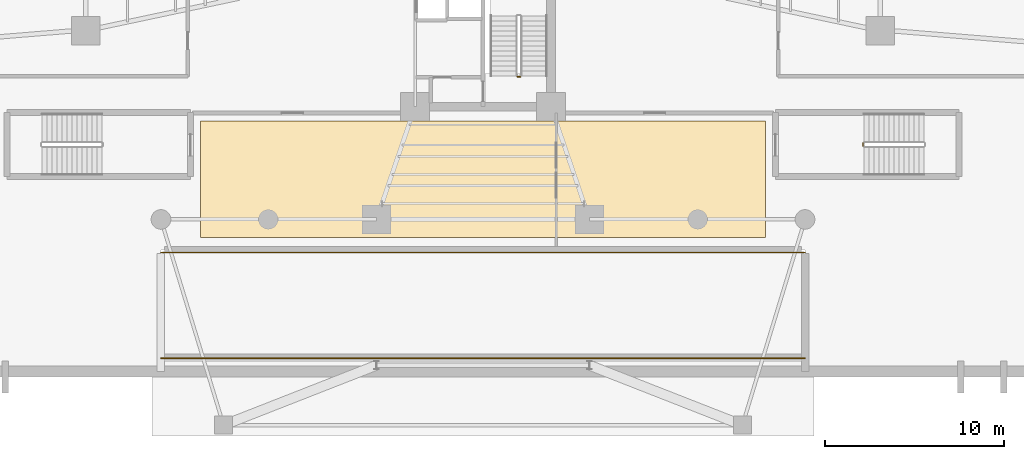
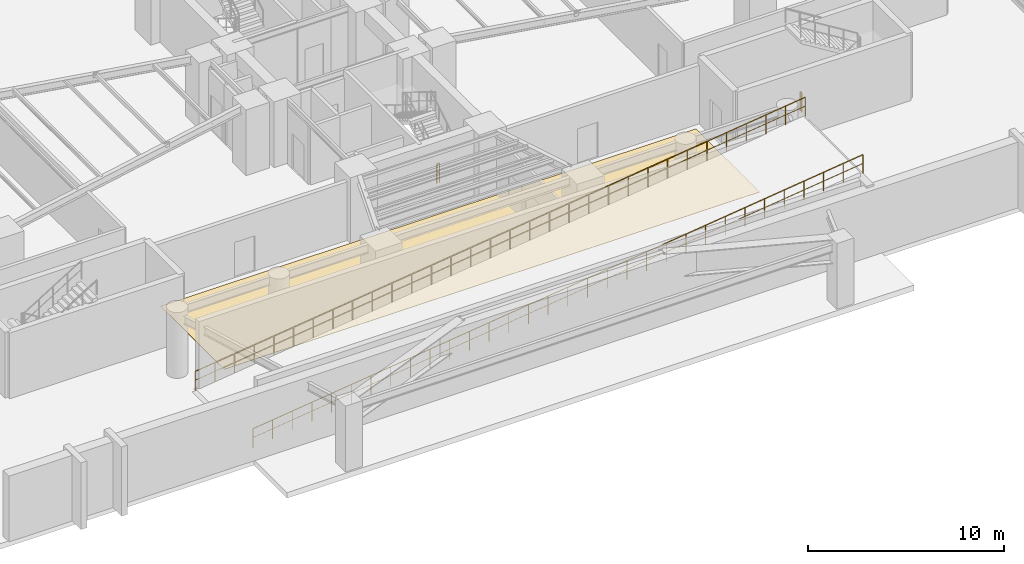
# One storey, part 12 of 14: 4 railings, 1 covering.
"""IFC4 building model written with IfcOpenShell, lengths in metres."""

from ifc_helpers import new_model, si_unit, direction, frame, origin, origin_2d, place, context, subcontext, project, spatial, polyline, circle, outline, extrude, material, layer, layer_set, type_object, element, save


model = new_model("IFC4")

# Units and contexts
model_context = context("Model", 3, precision=1e-05, world=origin(), true_north=direction((0.0, 1.0)))
body_context = subcontext(model_context, "Body", "Model", "MODEL_VIEW")
ifc_project = project(units=[si_unit("LENGTHUNIT", "METRE"), si_unit("AREAUNIT", "SQUARE_METRE"), si_unit("VOLUMEUNIT", "CUBIC_METRE"), si_unit("PLANEANGLEUNIT", "RADIAN"), si_unit("MASSUNIT", "GRAM", prefix="KILO")], contexts=[model_context])

# Site, building, storey
site_placement = place(None, origin())
site = spatial("IfcSite", under=ifc_project, at=site_placement, CompositionType="ELEMENT")
building_placement = place(site_placement, origin())
building = spatial("IfcBuilding", under=site, at=building_placement, Name="Sahyath Konkavel Grand Hotel", CompositionType="ELEMENT")
storey_placement = place(building_placement, frame((0.0, 0.0, -4.5)))
storey = spatial("IfcBuildingStorey", under=building, at=storey_placement, Name="B1", CompositionType="ELEMENT", Elevation=-4.5)

# Covering
ifc_material_1 = material(Name="Polished Konkan Aggregate Terrazzo Flooring")
ifc_layer = layer(ifc_material_1, 0.02001953125)
ifc_layer_set = layer_set([ifc_layer], Name="Polished Konkan Aggregate Terrazzo Flooring")
covering_type = type_object("IfcCoveringType", Name="COV-TERRAZZO", PredefinedType="FLOORING", material=ifc_layer_set)
covering_placement = place(storey_placement, origin())
element("IfcCovering", 1, at=covering_placement, inside=storey, type_object=covering_type, Name="B1 Metro Concourse Terrazzo Flooring", PredefinedType="FLOORING", context=body_context, shape_type="SweptSolid", body=[
    extrude(outline(polyline([(-15.800048828125, -17.5), (15.800048828125, -17.5), (15.800048828125, -11.0), (-15.800048828125, -11.0), (-15.800048828125, -17.5)])), origin(), (0.0, 0.0, 1.0), 0.02001953125),
])

# Railings
ifc_material_2 = material(Name="Steel E350", Category="steel")
railing_type = type_object("IfcRailingType", Name="RLG-STAIR-GRD", PredefinedType="GUARDRAIL", material=ifc_material_2)
railing_1_placement = place(storey_placement, frame((2.080078125, -8.530029296875, 0.0)))
element("IfcRailing", 2, at=railing_1_placement, inside=storey, type_object=railing_type, Name="B1 ST-2 stair guard 4", PredefinedType="GUARDRAIL", context=body_context, shape_type="SweptSolid", body=[
    extrude(circle(Radius=0.02392578125, at=origin_2d()), frame((-0.001953125, 0.0, 1.17578125), z_axis=(-1.0, 0.0, 0.0), x_axis=(0.0, -1.0, 0.0)), (0.0, 0.0, 1.0), 0.15625),
    extrude(circle(Radius=0.01416015625, at=origin_2d()), frame((-0.001953125, 0.0, 0.6240234375), z_axis=(-1.0, 0.0, 0.0), x_axis=(0.0, -1.0, 0.0)), (0.0, 0.0, 1.0), 0.15625),
    extrude(circle(Radius=0.02099609375, at=origin_2d()), origin(), (0.0, 0.0, 1.0), 1.15185546875),
    extrude(circle(Radius=0.02099609375, at=origin_2d()), frame((-0.16015625, 0.0, 0.0)), (0.0, 0.0, 1.0), 1.15185546875),
])
railing_2_placement = place(storey_placement, frame((21.239990234375, -12.389892578125, 0.0)))
element("IfcRailing", 3, at=railing_2_placement, inside=storey, type_object=railing_type, Name="B1 ST-P4 stair guard 4", PredefinedType="GUARDRAIL", context=body_context, shape_type="SweptSolid", body=[
    extrude(circle(Radius=0.02392578125, at=origin_2d()), frame((0.0, 0.001953125, 1.17578125), z_axis=(0.0, 1.0, 0.0), x_axis=(-1.0, 0.0, 0.0)), (0.0, 0.0, 1.0), 0.156005859375),
    extrude(circle(Radius=0.01416015625, at=origin_2d()), frame((0.0, 0.001953125, 0.6240234375), z_axis=(0.0, 1.0, 0.0), x_axis=(-1.0, 0.0, 0.0)), (0.0, 0.0, 1.0), 0.156005859375),
    extrude(circle(Radius=0.02099609375, at=origin_2d()), origin(), (0.0, 0.0, 1.0), 1.15185546875),
    extrude(circle(Radius=0.02099609375, at=origin_2d()), frame((0.0, 0.159912109375, 0.0)), (0.0, 0.0, 1.0), 1.15185546875),
])
railing_3_placement = place(storey_placement, frame((-18.0, -18.35009765625, 0.0)))
element("IfcRailing", 4, at=railing_3_placement, inside=storey, type_object=railing_type, Name="B1 Vehicle Ramp Guard N", PredefinedType="GUARDRAIL", context=body_context, shape_type="SweptSolid", body=[
    extrude(circle(Radius=0.02392578125, at=origin_2d()), frame((0.001953125, 0.0, 1.17626953125), z_axis=(0.992277876714, 0.0, 0.124034734589), x_axis=(0.0, 1.0, 0.0)), (0.0, 0.0, 1.0), 36.276123046875),
    extrude(circle(Radius=0.01416015625, at=origin_2d()), frame((0.001953125, 0.0, 0.624267578125), z_axis=(0.992277876714, 0.0, 0.124034734589), x_axis=(0.0, 1.0, 0.0)), (0.0, 0.0, 1.0), 36.276123046875),
    extrude(circle(Radius=0.02099609375, at=origin_2d()), origin(), (0.0, 0.0, 1.0), 1.15185546875),
    extrude(circle(Radius=0.02099609375, at=origin_2d()), frame((1.161376953125, 0.0, 0.145263671875)), (0.0, 0.0, 1.0), 1.15185546875),
    extrude(circle(Radius=0.02099609375, at=origin_2d()), frame((2.322509765625, 0.0, 0.290283203125)), (0.0, 0.0, 1.0), 1.15185546875),
    extrude(circle(Radius=0.02099609375, at=origin_2d()), frame((3.48388671875, 0.0, 0.435546875)), (0.0, 0.0, 1.0), 1.15185546875),
    extrude(circle(Radius=0.02099609375, at=origin_2d()), frame((4.645263671875, 0.0, 0.58056640625)), (0.0, 0.0, 1.0), 1.15185546875),
    extrude(circle(Radius=0.02099609375, at=origin_2d()), frame((5.806396484375, 0.0, 0.725830078125)), (0.0, 0.0, 1.0), 1.15185546875),
    extrude(circle(Radius=0.02099609375, at=origin_2d()), frame((6.9677734375, 0.0, 0.870849609375)), (0.0, 0.0, 1.0), 1.15185546875),
    extrude(circle(Radius=0.02099609375, at=origin_2d()), frame((8.129150390625, 0.0, 1.01611328125)), (0.0, 0.0, 1.0), 1.15185546875),
    extrude(circle(Radius=0.02099609375, at=origin_2d()), frame((9.290283203125, 0.0, 1.161376953125)), (0.0, 0.0, 1.0), 1.15185546875),
    extrude(circle(Radius=0.02099609375, at=origin_2d()), frame((10.45166015625, 0.0, 1.306396484375)), (0.0, 0.0, 1.0), 1.15185546875),
    extrude(circle(Radius=0.02099609375, at=origin_2d()), frame((11.61279296875, 0.0, 1.45166015625)), (0.0, 0.0, 1.0), 1.15185546875),
    extrude(circle(Radius=0.02099609375, at=origin_2d()), frame((12.774169921875, 0.0, 1.5966796875)), (0.0, 0.0, 1.0), 1.15185546875),
    extrude(circle(Radius=0.02099609375, at=origin_2d()), frame((13.935546875, 0.0, 1.741943359375)), (0.0, 0.0, 1.0), 1.15185546875),
    extrude(circle(Radius=0.02099609375, at=origin_2d()), frame((15.0966796875, 0.0, 1.88720703125)), (0.0, 0.0, 1.0), 1.15185546875),
    extrude(circle(Radius=0.02099609375, at=origin_2d()), frame((16.258056640625, 0.0, 2.0322265625)), (0.0, 0.0, 1.0), 1.15185546875),
    extrude(circle(Radius=0.02099609375, at=origin_2d()), frame((17.41943359375, 0.0, 2.177490234375)), (0.0, 0.0, 1.0), 1.15185546875),
    extrude(circle(Radius=0.02099609375, at=origin_2d()), frame((18.58056640625, 0.0, 2.322509765625)), (0.0, 0.0, 1.0), 1.15185546875),
    extrude(circle(Radius=0.02099609375, at=origin_2d()), frame((19.741943359375, 0.0, 2.4677734375)), (0.0, 0.0, 1.0), 1.15185546875),
    extrude(circle(Radius=0.02099609375, at=origin_2d()), frame((20.9033203125, 0.0, 2.61279296875)), (0.0, 0.0, 1.0), 1.15185546875),
    extrude(circle(Radius=0.02099609375, at=origin_2d()), frame((22.064453125, 0.0, 2.758056640625)), (0.0, 0.0, 1.0), 1.15185546875),
    extrude(circle(Radius=0.02099609375, at=origin_2d()), frame((23.225830078125, 0.0, 2.9033203125)), (0.0, 0.0, 1.0), 1.15185546875),
    extrude(circle(Radius=0.02099609375, at=origin_2d()), frame((24.38720703125, 0.0, 3.04833984375)), (0.0, 0.0, 1.0), 1.15185546875),
    extrude(circle(Radius=0.02099609375, at=origin_2d()), frame((25.54833984375, 0.0, 3.193603515625)), (0.0, 0.0, 1.0), 1.15185546875),
    extrude(circle(Radius=0.02099609375, at=origin_2d()), frame((26.709716796875, 0.0, 3.338623046875)), (0.0, 0.0, 1.0), 1.15185546875),
    extrude(circle(Radius=0.02099609375, at=origin_2d()), frame((27.870849609375, 0.0, 3.48388671875)), (0.0, 0.0, 1.0), 1.15185546875),
    extrude(circle(Radius=0.02099609375, at=origin_2d()), frame((29.0322265625, 0.0, 3.629150390625)), (0.0, 0.0, 1.0), 1.15185546875),
    extrude(circle(Radius=0.02099609375, at=origin_2d()), frame((30.193603515625, 0.0, 3.774169921875)), (0.0, 0.0, 1.0), 1.15185546875),
    extrude(circle(Radius=0.02099609375, at=origin_2d()), frame((31.354736328125, 0.0, 3.91943359375)), (0.0, 0.0, 1.0), 1.15185546875),
    extrude(circle(Radius=0.02099609375, at=origin_2d()), frame((32.51611328125, 0.0, 4.064453125)), (0.0, 0.0, 1.0), 1.15185546875),
    extrude(circle(Radius=0.02099609375, at=origin_2d()), frame((33.677490234375, 0.0, 4.209716796875)), (0.0, 0.0, 1.0), 1.15185546875),
    extrude(circle(Radius=0.02099609375, at=origin_2d()), frame((34.838623046875, 0.0, 4.354736328125)), (0.0, 0.0, 1.0), 1.15185546875),
    extrude(circle(Radius=0.02099609375, at=origin_2d()), frame((36.0, 0.0, 4.5)), (0.0, 0.0, 1.0), 1.15185546875),
])
railing_4_placement = place(storey_placement, frame((-18.0, -24.25, 0.0)))
element("IfcRailing", 5, at=railing_4_placement, inside=storey, type_object=railing_type, Name="B1 Vehicle Ramp Guard S", PredefinedType="GUARDRAIL", context=body_context, shape_type="SweptSolid", body=[
    extrude(circle(Radius=0.02392578125, at=origin_2d()), frame((0.001953125, 0.0, 1.17626953125), z_axis=(0.992277876714, 0.0, 0.124034734589), x_axis=(0.0, 1.0, 0.0)), (0.0, 0.0, 1.0), 36.276123046875),
    extrude(circle(Radius=0.01416015625, at=origin_2d()), frame((0.001953125, 0.0, 0.624267578125), z_axis=(0.992277876714, 0.0, 0.124034734589), x_axis=(0.0, 1.0, 0.0)), (0.0, 0.0, 1.0), 36.276123046875),
    extrude(circle(Radius=0.02099609375, at=origin_2d()), origin(), (0.0, 0.0, 1.0), 1.15185546875),
    extrude(circle(Radius=0.02099609375, at=origin_2d()), frame((1.161376953125, 0.0, 0.145263671875)), (0.0, 0.0, 1.0), 1.15185546875),
    extrude(circle(Radius=0.02099609375, at=origin_2d()), frame((2.322509765625, 0.0, 0.290283203125)), (0.0, 0.0, 1.0), 1.15185546875),
    extrude(circle(Radius=0.02099609375, at=origin_2d()), frame((3.48388671875, 0.0, 0.435546875)), (0.0, 0.0, 1.0), 1.15185546875),
    extrude(circle(Radius=0.02099609375, at=origin_2d()), frame((4.645263671875, 0.0, 0.58056640625)), (0.0, 0.0, 1.0), 1.15185546875),
    extrude(circle(Radius=0.02099609375, at=origin_2d()), frame((5.806396484375, 0.0, 0.725830078125)), (0.0, 0.0, 1.0), 1.15185546875),
    extrude(circle(Radius=0.02099609375, at=origin_2d()), frame((6.9677734375, 0.0, 0.870849609375)), (0.0, 0.0, 1.0), 1.15185546875),
    extrude(circle(Radius=0.02099609375, at=origin_2d()), frame((8.129150390625, 0.0, 1.01611328125)), (0.0, 0.0, 1.0), 1.15185546875),
    extrude(circle(Radius=0.02099609375, at=origin_2d()), frame((9.290283203125, 0.0, 1.161376953125)), (0.0, 0.0, 1.0), 1.15185546875),
    extrude(circle(Radius=0.02099609375, at=origin_2d()), frame((10.45166015625, 0.0, 1.306396484375)), (0.0, 0.0, 1.0), 1.15185546875),
    extrude(circle(Radius=0.02099609375, at=origin_2d()), frame((11.61279296875, 0.0, 1.45166015625)), (0.0, 0.0, 1.0), 1.15185546875),
    extrude(circle(Radius=0.02099609375, at=origin_2d()), frame((12.774169921875, 0.0, 1.5966796875)), (0.0, 0.0, 1.0), 1.15185546875),
    extrude(circle(Radius=0.02099609375, at=origin_2d()), frame((13.935546875, 0.0, 1.741943359375)), (0.0, 0.0, 1.0), 1.15185546875),
    extrude(circle(Radius=0.02099609375, at=origin_2d()), frame((15.0966796875, 0.0, 1.88720703125)), (0.0, 0.0, 1.0), 1.15185546875),
    extrude(circle(Radius=0.02099609375, at=origin_2d()), frame((16.258056640625, 0.0, 2.0322265625)), (0.0, 0.0, 1.0), 1.15185546875),
    extrude(circle(Radius=0.02099609375, at=origin_2d()), frame((17.41943359375, 0.0, 2.177490234375)), (0.0, 0.0, 1.0), 1.15185546875),
    extrude(circle(Radius=0.02099609375, at=origin_2d()), frame((18.58056640625, 0.0, 2.322509765625)), (0.0, 0.0, 1.0), 1.15185546875),
    extrude(circle(Radius=0.02099609375, at=origin_2d()), frame((19.741943359375, 0.0, 2.4677734375)), (0.0, 0.0, 1.0), 1.15185546875),
    extrude(circle(Radius=0.02099609375, at=origin_2d()), frame((20.9033203125, 0.0, 2.61279296875)), (0.0, 0.0, 1.0), 1.15185546875),
    extrude(circle(Radius=0.02099609375, at=origin_2d()), frame((22.064453125, 0.0, 2.758056640625)), (0.0, 0.0, 1.0), 1.15185546875),
    extrude(circle(Radius=0.02099609375, at=origin_2d()), frame((23.225830078125, 0.0, 2.9033203125)), (0.0, 0.0, 1.0), 1.15185546875),
    extrude(circle(Radius=0.02099609375, at=origin_2d()), frame((24.38720703125, 0.0, 3.04833984375)), (0.0, 0.0, 1.0), 1.15185546875),
    extrude(circle(Radius=0.02099609375, at=origin_2d()), frame((25.54833984375, 0.0, 3.193603515625)), (0.0, 0.0, 1.0), 1.15185546875),
    extrude(circle(Radius=0.02099609375, at=origin_2d()), frame((26.709716796875, 0.0, 3.338623046875)), (0.0, 0.0, 1.0), 1.15185546875),
    extrude(circle(Radius=0.02099609375, at=origin_2d()), frame((27.870849609375, 0.0, 3.48388671875)), (0.0, 0.0, 1.0), 1.15185546875),
    extrude(circle(Radius=0.02099609375, at=origin_2d()), frame((29.0322265625, 0.0, 3.629150390625)), (0.0, 0.0, 1.0), 1.15185546875),
    extrude(circle(Radius=0.02099609375, at=origin_2d()), frame((30.193603515625, 0.0, 3.774169921875)), (0.0, 0.0, 1.0), 1.15185546875),
    extrude(circle(Radius=0.02099609375, at=origin_2d()), frame((31.354736328125, 0.0, 3.91943359375)), (0.0, 0.0, 1.0), 1.15185546875),
    extrude(circle(Radius=0.02099609375, at=origin_2d()), frame((32.51611328125, 0.0, 4.064453125)), (0.0, 0.0, 1.0), 1.15185546875),
    extrude(circle(Radius=0.02099609375, at=origin_2d()), frame((33.677490234375, 0.0, 4.209716796875)), (0.0, 0.0, 1.0), 1.15185546875),
    extrude(circle(Radius=0.02099609375, at=origin_2d()), frame((34.838623046875, 0.0, 4.354736328125)), (0.0, 0.0, 1.0), 1.15185546875),
    extrude(circle(Radius=0.02099609375, at=origin_2d()), frame((36.0, 0.0, 4.5)), (0.0, 0.0, 1.0), 1.15185546875),
])

save(model, "model.ifc")
